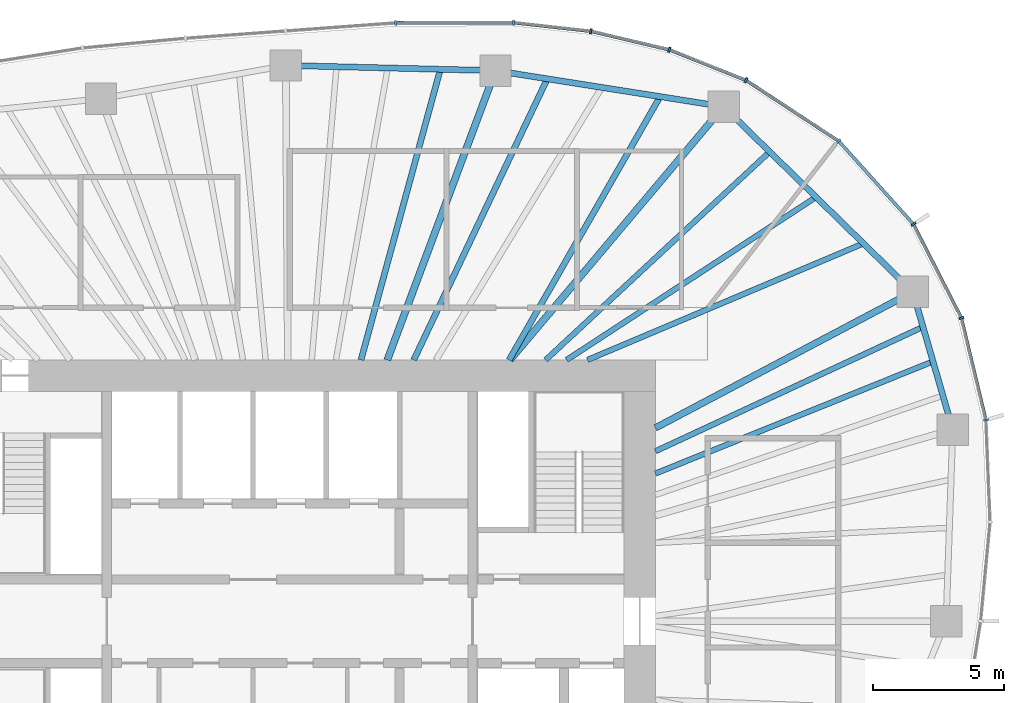
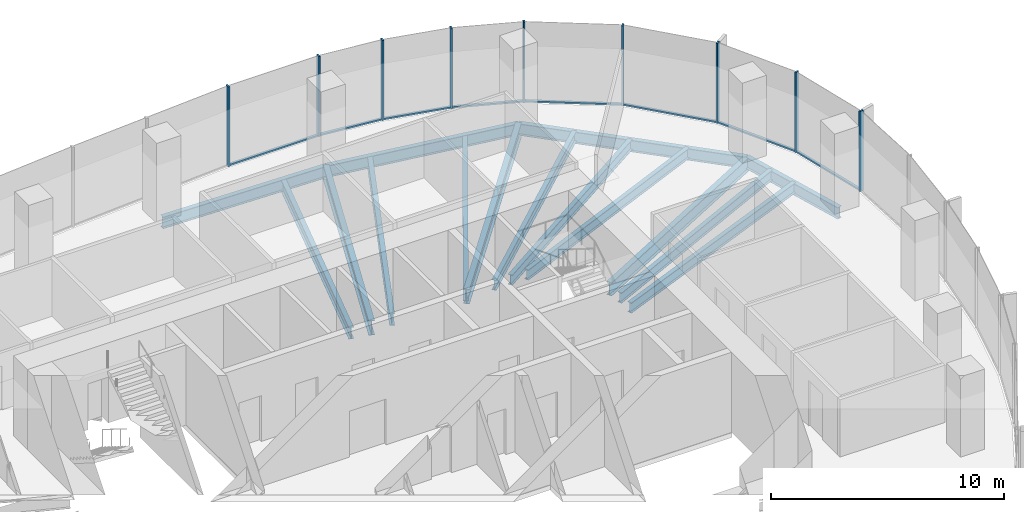
# One storey, part 6 of 12: 17 members, 15 beams, 4 elements without a shape of their own.
"""IFC4 building model written with IfcOpenShell, lengths in metres."""

from ifc_helpers import new_model, si_unit, direction, frame, origin, origin_2d, place, context, subcontext, project, spatial, rectangle, i_section, extrude, material, material_profile, profile_set, type_object, element, aggregate, save


model = new_model("IFC4")

# Units and contexts
model_context = context("Model", 3, precision=1e-05, world=origin(), true_north=direction((0.0, 1.0)))
body_context = subcontext(model_context, "Body", "Model", "MODEL_VIEW")
ifc_project = project(units=[si_unit("LENGTHUNIT", "METRE"), si_unit("AREAUNIT", "SQUARE_METRE"), si_unit("VOLUMEUNIT", "CUBIC_METRE"), si_unit("PLANEANGLEUNIT", "RADIAN"), si_unit("MASSUNIT", "GRAM", prefix="KILO")], contexts=[model_context])

# Site, building, storey
site_placement = place(None, origin())
site = spatial("IfcSite", under=ifc_project, at=site_placement, CompositionType="ELEMENT")
building_placement = place(site_placement, origin())
building = spatial("IfcBuilding", under=site, at=building_placement, Name="Ghaith Harvest Tower", CompositionType="ELEMENT")
storey_placement = place(building_placement, frame((0.0, 0.0, 236.800048828125)))
storey = spatial("IfcBuildingStorey", under=building, at=storey_placement, Name="L52", CompositionType="ELEMENT", Elevation=236.800048828125)

# Curtain wall, members
ifc_material_1 = material(Name="Black anodised aluminium and fritted glass", Category="aluminium")
curtain_wall_type = type_object("IfcCurtainWallType", Name="CW-H CURTAIN WALL", PredefinedType="NOTDEFINED", material=ifc_material_1)
curtain_wall_1_placement = place(storey_placement, origin())
curtain_wall_1 = element("IfcCurtainWall", 1, at=curtain_wall_1_placement, inside=storey, type_object=curtain_wall_type, Name="Curtain wall CW-H bay 02 L52", PredefinedType="NOTDEFINED")
ifc_material_2 = material(Name="Aluminium, black anodised", Category="aluminium")
ifc_material_profile_1 = material_profile(ifc_material_2, rectangle(XDim=0.080078125, YDim=0.199951171875, at=origin_2d()), Name="CW-H MULLION 80x200")
ifc_profile_set_1 = profile_set([ifc_material_profile_1], Name="Aluminium, black anodised")
member_type_1 = type_object("IfcMemberType", Name="CW-H MULLION 80x200", PredefinedType="MULLION", material=ifc_profile_set_1)
member_1_placement = place(storey_placement, frame((26.646484375, 7.701416015625, 0.0), z_axis=(0.0, 0.0, 1.0), x_axis=(-0.139146256981, 0.990271841046, 0.0)))
member_1 = element("IfcMember", 2, at=member_1_placement, type_object=member_type_1, Name="CW-H mullion 1 bay 02 L52", PredefinedType="MULLION", context=body_context, shape_type="SweptSolid", body=[
    extrude(rectangle(XDim=0.080078125, YDim=0.199951171875, at=origin_2d()), origin(), (0.0, 0.0, 1.0), 4.199951171875),
])
member_2_placement = place(storey_placement, frame((25.707275390625, 11.60546875, 0.0), z_axis=(0.0, 0.0, 1.0), x_axis=(-0.347012123561, 0.93786064322, 0.0)))
member_2 = element("IfcMember", 3, at=member_2_placement, type_object=member_type_1, Name="CW-H mullion 2 bay 02 L52", PredefinedType="MULLION", context=body_context, shape_type="SweptSolid", body=[
    extrude(rectangle(XDim=0.080078125, YDim=0.199951171875, at=origin_2d()), origin(), (0.0, 0.0, 1.0), 4.199951171875),
])

curtain_wall_2_placement = place(storey_placement, origin())
curtain_wall_2 = element("IfcCurtainWall", 4, at=curtain_wall_2_placement, inside=storey, type_object=curtain_wall_type, Name="Curtain wall CW-H bay 03 L52", PredefinedType="NOTDEFINED")
member_3_placement = place(storey_placement, frame((23.874267578125, 15.19384765625, 0.0), z_axis=(0.0, 0.0, 1.0), x_axis=(-0.569847382909, 0.821750546207, 0.0)))
member_3 = element("IfcMember", 5, at=member_3_placement, type_object=member_type_1, Name="CW-H mullion 1 bay 03 L52", PredefinedType="MULLION", context=body_context, shape_type="SweptSolid", body=[
    extrude(rectangle(XDim=0.080078125, YDim=0.199951171875, at=origin_2d()), origin(), (0.0, 0.0, 1.0), 4.199951171875),
])
member_4_placement = place(storey_placement, frame((21.013427734375, 18.374267578125, 0.0), z_axis=(0.0, 0.0, 1.0), x_axis=(-0.758541332755, 0.651624927778, 0.0)))
member_4 = element("IfcMember", 6, at=member_4_placement, type_object=member_type_1, Name="CW-H mullion 2 bay 03 L52", PredefinedType="MULLION", context=body_context, shape_type="SweptSolid", body=[
    extrude(rectangle(XDim=0.080078125, YDim=0.199951171875, at=origin_2d()), origin(), (0.0, 0.0, 1.0), 4.199951171875),
])

curtain_wall_3_placement = place(storey_placement, origin())
curtain_wall_3 = element("IfcCurtainWall", 7, at=curtain_wall_3_placement, inside=storey, type_object=curtain_wall_type, Name="Curtain wall CW-H bay 04 L52", PredefinedType="NOTDEFINED")
member_5_placement = place(storey_placement, frame((17.45947265625, 20.704345703125, 0.0), z_axis=(0.0, 0.0, 1.0), x_axis=(-0.880203412003, 0.474596621878, 0.0)))
member_5 = element("IfcMember", 8, at=member_5_placement, type_object=member_type_1, Name="CW-H mullion 1 bay 04 L52", PredefinedType="MULLION", context=body_context, shape_type="SweptSolid", body=[
    extrude(rectangle(XDim=0.080078125, YDim=0.199951171875, at=origin_2d()), origin(), (0.0, 0.0, 1.0), 4.199951171875),
])
member_6_placement = place(storey_placement, frame((14.52734375, 21.871337890625, 0.0), z_axis=(0.0, 0.0, 1.0), x_axis=(-0.953502908871, 0.30138381306, 0.0)))
member_6 = element("IfcMember", 9, at=member_6_placement, type_object=member_type_1, Name="CW-H mullion 2 bay 04 L52", PredefinedType="MULLION", context=body_context, shape_type="SweptSolid", body=[
    extrude(rectangle(XDim=0.080078125, YDim=0.199951171875, at=origin_2d()), origin(), (0.0, 0.0, 1.0), 4.199951171875),
])
member_7_placement = place(storey_placement, frame((11.527099609375, 22.579345703125, 0.0), z_axis=(0.0, 0.0, 1.0), x_axis=(-0.985193373388, 0.171446834417, 0.0)))
member_7 = element("IfcMember", 10, at=member_7_placement, type_object=member_type_1, Name="CW-H mullion 3 bay 04 L52", PredefinedType="MULLION", context=body_context, shape_type="SweptSolid", body=[
    extrude(rectangle(XDim=0.080078125, YDim=0.199951171875, at=origin_2d()), origin(), (0.0, 0.0, 1.0), 4.199951171875),
])

curtain_wall_4_placement = place(storey_placement, origin())
curtain_wall_4 = element("IfcCurtainWall", 11, at=curtain_wall_4_placement, inside=storey, type_object=curtain_wall_type, Name="Curtain wall CW-H bay 05 L52", PredefinedType="NOTDEFINED")
member_8_placement = place(storey_placement, frame((8.564208984375, 22.9091796875, 0.0), z_axis=(0.0, 0.0, 1.0), x_axis=(-0.999083519493, 0.042803283493, 0.0)))
member_8 = element("IfcMember", 12, at=member_8_placement, type_object=member_type_1, Name="CW-H mullion 1 bay 05 L52", PredefinedType="MULLION", context=body_context, shape_type="SweptSolid", body=[
    extrude(rectangle(XDim=0.080078125, YDim=0.199951171875, at=origin_2d()), origin(), (0.0, 0.0, 1.0), 4.199951171875),
])
member_9_placement = place(storey_placement, frame((4.0595703125, 22.8994140625, 0.0), z_axis=(0.0, 0.0, 1.0), x_axis=(-0.999332779724, -0.036523901335, 0.0)))
member_9 = element("IfcMember", 13, at=member_9_placement, type_object=member_type_1, Name="CW-H mullion 2 bay 05 L52", PredefinedType="MULLION", context=body_context, shape_type="SweptSolid", body=[
    extrude(rectangle(XDim=0.080078125, YDim=0.199951171875, at=origin_2d()), origin(), (0.0, 0.0, 1.0), 4.199951171875),
])

# Member
ifc_material_3 = material(Name="Aluminium, black anodised", Category="aluminium")
ifc_material_profile_2 = material_profile(ifc_material_3, rectangle(XDim=0.1298828125, YDim=0.080078125, at=origin_2d()), Name="CW-H TRANSOM 130x80")
ifc_profile_set_2 = profile_set([ifc_material_profile_2], Name="Aluminium, black anodised")
member_type_2 = type_object("IfcMemberType", Name="CW-H TRANSOM 130x80", PredefinedType="USERDEFINED", material=ifc_profile_set_2)
member_10_placement = place(storey_placement, frame((26.636962890625, 7.740234375, 0.0400390625), z_axis=(-0.233870324689, 0.972267798104, 0.0), x_axis=(-0.972267798104, -0.233870324689, 0.0)))
member_10 = element("IfcMember", 14, at=member_10_placement, type_object=member_type_2, Name="CW-H transom 1 bay 02 L52", ObjectType="TRANSOM", PredefinedType="USERDEFINED", context=body_context, shape_type="SweptSolid", body=[
    extrude(rectangle(XDim=0.1298828125, YDim=0.080078125, at=origin_2d()), origin(), (0.0, 0.0, 1.0), 3.935546875),
])

member_11_placement = place(storey_placement, frame((25.68896484375, 11.64111328125, 0.0400390625), z_axis=(-0.454911728312, 0.890536534592, 0.0), x_axis=(-0.890536534592, -0.454911728312, 0.0)))
member_11 = element("IfcMember", 15, at=member_11_placement, type_object=member_type_2, Name="CW-H transom 2 bay 02 L52", ObjectType="TRANSOM", PredefinedType="USERDEFINED", context=body_context, shape_type="SweptSolid", body=[
    extrude(rectangle(XDim=0.1298828125, YDim=0.080078125, at=origin_2d()), origin(), (0.0, 0.0, 1.0), 3.949462890625),
])

aggregate(curtain_wall_1, [member_1, member_10, member_2, member_11])

member_12_placement = place(storey_placement, frame((23.847412109375, 15.223388671875, 0.0400390625), z_axis=(-0.668752638518, 0.743484975286, 0.0), x_axis=(-0.743484975286, -0.668752638518, 0.0)))
member_12 = element("IfcMember", 16, at=member_12_placement, type_object=member_type_2, Name="CW-H transom 1 bay 03 L52", ObjectType="TRANSOM", PredefinedType="USERDEFINED", context=body_context, shape_type="SweptSolid", body=[
    extrude(rectangle(XDim=0.1298828125, YDim=0.080078125, at=origin_2d()), origin(), (0.0, 0.0, 1.0), 4.197998046875),
])

member_13_placement = place(storey_placement, frame((20.97998046875, 18.39599609375, 0.0400390625), z_axis=(-0.836268574396, 0.548320044753, 0.0), x_axis=(-0.548320044753, -0.836268574396, 0.0)))
member_13 = element("IfcMember", 17, at=member_13_placement, type_object=member_type_2, Name="CW-H transom 2 bay 03 L52", ObjectType="TRANSOM", PredefinedType="USERDEFINED", context=body_context, shape_type="SweptSolid", body=[
    extrude(rectangle(XDim=0.1298828125, YDim=0.080078125, at=origin_2d()), origin(), (0.0, 0.0, 1.0), 4.169677734375),
])

aggregate(curtain_wall_2, [member_3, member_12, member_4, member_13])

member_14_placement = place(storey_placement, frame((17.42236328125, 20.71923828125, 0.0400390625), z_axis=(-0.929115751434, 0.369789021521, 0.0), x_axis=(-0.369789021521, -0.929115751434, 0.0)))
member_14 = element("IfcMember", 18, at=member_14_placement, type_object=member_type_2, Name="CW-H transom 1 bay 04 L52", ObjectType="TRANSOM", PredefinedType="USERDEFINED", context=body_context, shape_type="SweptSolid", body=[
    extrude(rectangle(XDim=0.1298828125, YDim=0.080078125, at=origin_2d()), origin(), (0.0, 0.0, 1.0), 3.075927734375),
])

member_15_placement = place(storey_placement, frame((14.48828125, 21.880615234375, 0.0400390625), z_axis=(-0.97325803677, 0.229714592186, 0.0), x_axis=(-0.229714592186, -0.97325803677, 0.0)))
member_15 = element("IfcMember", 19, at=member_15_placement, type_object=member_type_2, Name="CW-H transom 2 bay 04 L52", ObjectType="TRANSOM", PredefinedType="USERDEFINED", context=body_context, shape_type="SweptSolid", body=[
    extrude(rectangle(XDim=0.1298828125, YDim=0.080078125, at=origin_2d()), origin(), (0.0, 0.0, 1.0), 3.00244140625),
])

member_16_placement = place(storey_placement, frame((11.4873046875, 22.583984375, 0.0400390625), z_axis=(-0.993867303252, 0.110579308762, 0.0), x_axis=(-0.110579308762, -0.993867303252, 0.0)))
member_16 = element("IfcMember", 20, at=member_16_placement, type_object=member_type_2, Name="CW-H transom 3 bay 04 L52", ObjectType="TRANSOM", PredefinedType="USERDEFINED", context=body_context, shape_type="SweptSolid", body=[
    extrude(rectangle(XDim=0.1298828125, YDim=0.080078125, at=origin_2d()), origin(), (0.0, 0.0, 1.0), 2.901123046875),
])

aggregate(curtain_wall_3, [member_5, member_14, member_6, member_15, member_7, member_16])

member_17_placement = place(storey_placement, frame((8.524169921875, 22.9091796875, 0.0400390625), z_axis=(-0.999997564275, -0.002207134722, 0.0), x_axis=(0.002207134722, -0.999997564275, 0.0)))
member_17 = element("IfcMember", 21, at=member_17_placement, type_object=member_type_2, Name="CW-H transom 1 bay 05 L52", ObjectType="TRANSOM", PredefinedType="USERDEFINED", context=body_context, shape_type="SweptSolid", body=[
    extrude(rectangle(XDim=0.1298828125, YDim=0.080078125, at=origin_2d()), origin(), (0.0, 0.0, 1.0), 4.424560546875),
])

aggregate(curtain_wall_4, [member_8, member_17, member_9])

# Beams
ifc_material_4 = material(Name="Steel ASTM A992 Grade 50", Category="steel")
ifc_material_profile_3 = material_profile(ifc_material_4, i_section(OverallWidth=0.22900390625, OverallDepth=0.612060546875, WebThickness=0.011962890625, FlangeThickness=0.01953125, at=origin_2d()), Name="W610X125")
ifc_profile_set_3 = profile_set([ifc_material_profile_3], Name="Steel ASTM A992 Grade 50")
beam_type_1 = type_object("IfcBeamType", Name="E610-125 W610X125", PredefinedType="SPANDREL", material=ifc_profile_set_3)
beam_1_placement = place(storey_placement, frame((25.3779296875, 7.3349609375, -0.47607421875), z_axis=(-0.278021352648, 0.960574894254, 0.0), x_axis=(-0.960574894254, -0.278021352648, 0.0)))
element("IfcBeam", 22, at=beam_1_placement, inside=storey, type_object=beam_type_1, Name="Edge beam E02 L52", PredefinedType="SPANDREL", context=body_context, shape_type="SweptSolid", body=[
    extrude(i_section(OverallWidth=0.22900390625, OverallDepth=0.612060546875, WebThickness=0.011962890625, FlangeThickness=0.01953125, at=origin_2d()), origin(), (0.0, 0.0, 1.0), 5.48828125),
])
beam_2_placement = place(storey_placement, frame((23.85205078125, 12.60693359375, -0.47607421875), z_axis=(-0.714761249388, 0.699368541166, 0.0), x_axis=(-0.699368541166, -0.714761249388, 0.0)))
element("IfcBeam", 23, at=beam_2_placement, inside=storey, type_object=beam_type_1, Name="Edge beam E03 L52", PredefinedType="SPANDREL", context=body_context, shape_type="SweptSolid", body=[
    extrude(i_section(OverallWidth=0.22900390625, OverallDepth=0.612060546875, WebThickness=0.011962890625, FlangeThickness=0.01953125, at=origin_2d()), origin(), (0.0, 0.0, 1.0), 10.135009765625),
])
beam_3_placement = place(storey_placement, frame((16.60791015625, 19.695068359375, -0.47607421875), z_axis=(-0.987788485872, 0.155800857439, 0.0), x_axis=(-0.155800857439, -0.987788485872, 0.0)))
element("IfcBeam", 24, at=beam_3_placement, inside=storey, type_object=beam_type_1, Name="Edge beam E04 L52", PredefinedType="SPANDREL", context=body_context, shape_type="SweptSolid", body=[
    extrude(i_section(OverallWidth=0.22900390625, OverallDepth=0.612060546875, WebThickness=0.011962890625, FlangeThickness=0.01953125, at=origin_2d()), origin(), (0.0, 0.0, 1.0), 8.837890625),
])
beam_4_placement = place(storey_placement, frame((7.8779296875, 21.072021484375, -0.47607421875), z_axis=(-0.999692679676, 0.024790042413, 0.0), x_axis=(-0.024790042413, -0.999692679676, 0.0)))
element("IfcBeam", 25, at=beam_4_placement, inside=storey, type_object=beam_type_1, Name="Edge beam E05 L52", PredefinedType="SPANDREL", context=body_context, shape_type="SweptSolid", body=[
    extrude(i_section(OverallWidth=0.22900390625, OverallDepth=0.612060546875, WebThickness=0.011962890625, FlangeThickness=0.01953125, at=origin_2d()), origin(), (0.0, 0.0, 1.0), 8.0263671875),
])
ifc_material_5 = material(Name="Steel ASTM A992 Grade 50", Category="steel")
ifc_material_profile_4 = material_profile(ifc_material_5, i_section(OverallWidth=0.256103515625, OverallDepth=0.693115234375, WebThickness=0.014404296875, FlangeThickness=0.023681640625, at=origin_2d()), Name="W690X170")
ifc_profile_set_4 = profile_set([ifc_material_profile_4], Name="Steel ASTM A992 Grade 50")
beam_type_2 = type_object("IfcBeamType", Name="G690-170 W690X170", PredefinedType="BEAM", material=ifc_profile_set_4)
beam_5_placement = place(storey_placement, frame((14.0, 7.39990234375, -0.5166015625), z_axis=(0.884112784119, 0.467273565438, 0.0), x_axis=(-0.467273565438, 0.884112784119, 0.0)))
element("IfcBeam", 26, at=beam_5_placement, inside=storey, type_object=beam_type_2, Name="Radial girder G03 L52", PredefinedType="BEAM", context=body_context, shape_type="SweptSolid", body=[
    extrude(i_section(OverallWidth=0.256103515625, OverallDepth=0.693115234375, WebThickness=0.014404296875, FlangeThickness=0.023681640625, at=origin_2d()), origin(), (0.0, 0.0, 1.0), 11.143310546875),
])
ifc_material_6 = material(Name="Steel ASTM A992 Grade 50", Category="steel")
ifc_material_profile_5 = material_profile(ifc_material_6, i_section(OverallWidth=0.26806640625, OverallDepth=0.77001953125, WebThickness=0.015625, FlangeThickness=0.025390625, at=origin_2d()), Name="W760X196")
ifc_profile_set_5 = profile_set([ifc_material_profile_5], Name="Steel ASTM A992 Grade 50")
beam_type_3 = type_object("IfcBeamType", Name="G760-196 W760X196", PredefinedType="BEAM", material=ifc_profile_set_5)
beam_6_placement = place(storey_placement, frame((8.4326171875, 10.0, -0.554931640625), z_axis=(0.644644245772, 0.764482698557, 0.0), x_axis=(-0.764482698557, 0.644644245772, 0.0)))
element("IfcBeam", 27, at=beam_6_placement, inside=storey, type_object=beam_type_3, Name="Radial girder G04 L52", PredefinedType="BEAM", context=body_context, shape_type="SweptSolid", body=[
    extrude(i_section(OverallWidth=0.26806640625, OverallDepth=0.77001953125, WebThickness=0.015625, FlangeThickness=0.025390625, at=origin_2d()), origin(), (0.0, 0.0, 1.0), 12.681884765625),
])
beam_7_placement = place(storey_placement, frame((3.73828125, 10.0, -0.554931640625), z_axis=(0.350206582147, 0.936672488024, 0.0), x_axis=(-0.936672488024, 0.350206582147, 0.0)))
element("IfcBeam", 28, at=beam_7_placement, inside=storey, type_object=beam_type_3, Name="Radial girder G05 L52", PredefinedType="BEAM", context=body_context, shape_type="SweptSolid", body=[
    extrude(i_section(OverallWidth=0.26806640625, OverallDepth=0.77001953125, WebThickness=0.015625, FlangeThickness=0.025390625, at=origin_2d()), origin(), (0.0, 0.0, 1.0), 11.820556640625),
])
ifc_material_7 = material(Name="Steel ASTM A992 Grade 50", Category="steel")
ifc_material_profile_6 = material_profile(ifc_material_7, i_section(OverallWidth=0.2109375, OverallDepth=0.5390625, WebThickness=0.01171875, FlangeThickness=0.018798828125, at=origin_2d()), Name="W530X109")
ifc_profile_set_6 = profile_set([ifc_material_profile_6], Name="Steel ASTM A992 Grade 50")
beam_type_4 = type_object("IfcBeamType", Name="J530-109 W530X109", PredefinedType="JOIST", material=ifc_profile_set_6)
beam_8_placement = place(storey_placement, frame((14.0, 5.653564453125, -0.439453125), z_axis=(0.927250374508, 0.37444190868, 0.0), x_axis=(-0.37444190868, 0.927250374508, 0.0)))
element("IfcBeam", 29, at=beam_8_placement, inside=storey, type_object=beam_type_4, Name="Joist J02.2 L52", PredefinedType="JOIST", context=body_context, shape_type="SweptSolid", body=[
    extrude(i_section(OverallWidth=0.2109375, OverallDepth=0.5390625, WebThickness=0.01171875, FlangeThickness=0.018798828125, at=origin_2d()), origin(), (0.0, 0.0, 1.0), 11.45654296875),
])
beam_9_placement = place(storey_placement, frame((14.0, 6.506103515625, -0.439453125), z_axis=(0.906864105655, 0.421423176718, 0.0), x_axis=(-0.421423176718, 0.906864105655, 0.0)))
element("IfcBeam", 30, at=beam_9_placement, inside=storey, type_object=beam_type_4, Name="Joist J02.3 L52", PredefinedType="JOIST", context=body_context, shape_type="SweptSolid", body=[
    extrude(i_section(OverallWidth=0.2109375, OverallDepth=0.5390625, WebThickness=0.01171875, FlangeThickness=0.018798828125, at=origin_2d()), origin(), (0.0, 0.0, 1.0), 11.292236328125),
])
beam_10_placement = place(storey_placement, frame((11.39990234375, 10.0, -0.439453125), z_axis=(0.92127415213, 0.388913790727, 0.0), x_axis=(-0.388913790727, 0.92127415213, 0.0)))
element("IfcBeam", 31, at=beam_10_placement, inside=storey, type_object=beam_type_4, Name="Joist J03.1 L52", PredefinedType="JOIST", context=body_context, shape_type="SweptSolid", body=[
    extrude(i_section(OverallWidth=0.2109375, OverallDepth=0.5390625, WebThickness=0.01171875, FlangeThickness=0.018798828125, at=origin_2d()), origin(), (0.0, 0.0, 1.0), 11.462646484375),
])
beam_11_placement = place(storey_placement, frame((10.60009765625, 10.0, -0.439453125), z_axis=(0.837329320942, 0.546698827775, 0.0), x_axis=(-0.546698827775, 0.837329320942, 0.0)))
element("IfcBeam", 32, at=beam_11_placement, inside=storey, type_object=beam_type_4, Name="Joist J03.2 L52", PredefinedType="JOIST", context=body_context, shape_type="SweptSolid", body=[
    extrude(i_section(OverallWidth=0.2109375, OverallDepth=0.5390625, WebThickness=0.01171875, FlangeThickness=0.018798828125, at=origin_2d()), origin(), (0.0, 0.0, 1.0), 11.40087890625),
])
beam_12_placement = place(storey_placement, frame((9.800048828125, 10.0, -0.439453125), z_axis=(0.732519288302, 0.680746275984, 0.0), x_axis=(-0.680746275984, 0.732519288302, 0.0)))
element("IfcBeam", 33, at=beam_12_placement, inside=storey, type_object=beam_type_4, Name="Joist J03.3 L52", PredefinedType="JOIST", context=body_context, shape_type="SweptSolid", body=[
    extrude(i_section(OverallWidth=0.2109375, OverallDepth=0.5390625, WebThickness=0.01171875, FlangeThickness=0.018798828125, at=origin_2d()), origin(), (0.0, 0.0, 1.0), 11.7041015625),
])
ifc_material_8 = material(Name="Steel ASTM A992 Grade 50", Category="steel")
ifc_material_profile_7 = material_profile(ifc_material_8, i_section(OverallWidth=0.22900390625, OverallDepth=0.612060546875, WebThickness=0.011962890625, FlangeThickness=0.01953125, at=origin_2d()), Name="W610X125")
ifc_profile_set_7 = profile_set([ifc_material_profile_7], Name="Steel ASTM A992 Grade 50")
beam_type_5 = type_object("IfcBeamType", Name="J610-125 W610X125", PredefinedType="JOIST", material=ifc_profile_set_7)
beam_13_placement = place(storey_placement, frame((8.39990234375, 10.0, -0.47607421875), z_axis=(0.497444212127, 0.867495968764, 0.0), x_axis=(-0.867495968764, 0.497444212127, 0.0)))
element("IfcBeam", 34, at=beam_13_placement, inside=storey, type_object=beam_type_5, Name="Joist J04.1 L52", PredefinedType="JOIST", context=body_context, shape_type="SweptSolid", body=[
    extrude(i_section(OverallWidth=0.22900390625, OverallDepth=0.612060546875, WebThickness=0.011962890625, FlangeThickness=0.01953125, at=origin_2d()), origin(), (0.0, 0.0, 1.0), 11.617431640625),
])
beam_14_placement = place(storey_placement, frame((4.75, 10.0, -0.47607421875), z_axis=(0.429069356877, 0.903271546651, 0.0), x_axis=(-0.903271546651, 0.429069356877, 0.0)))
element("IfcBeam", 35, at=beam_14_placement, inside=storey, type_object=beam_type_5, Name="Joist J04.3 L52", PredefinedType="JOIST", context=body_context, shape_type="SweptSolid", body=[
    extrude(i_section(OverallWidth=0.22900390625, OverallDepth=0.612060546875, WebThickness=0.011962890625, FlangeThickness=0.01953125, at=origin_2d()), origin(), (0.0, 0.0, 1.0), 11.911376953125),
])
beam_15_placement = place(storey_placement, frame((2.73095703125, 10.0, -0.47607421875), z_axis=(0.263455967932, 0.964671422279, 0.0), x_axis=(-0.964671422279, 0.263455967932, 0.0)))
element("IfcBeam", 36, at=beam_15_placement, inside=storey, type_object=beam_type_5, Name="Joist J05.1 L52", PredefinedType="JOIST", context=body_context, shape_type="SweptSolid", body=[
    extrude(i_section(OverallWidth=0.22900390625, OverallDepth=0.612060546875, WebThickness=0.011962890625, FlangeThickness=0.01953125, at=origin_2d()), origin(), (0.0, 0.0, 1.0), 11.53173828125),
])

save(model, "model.ifc")
